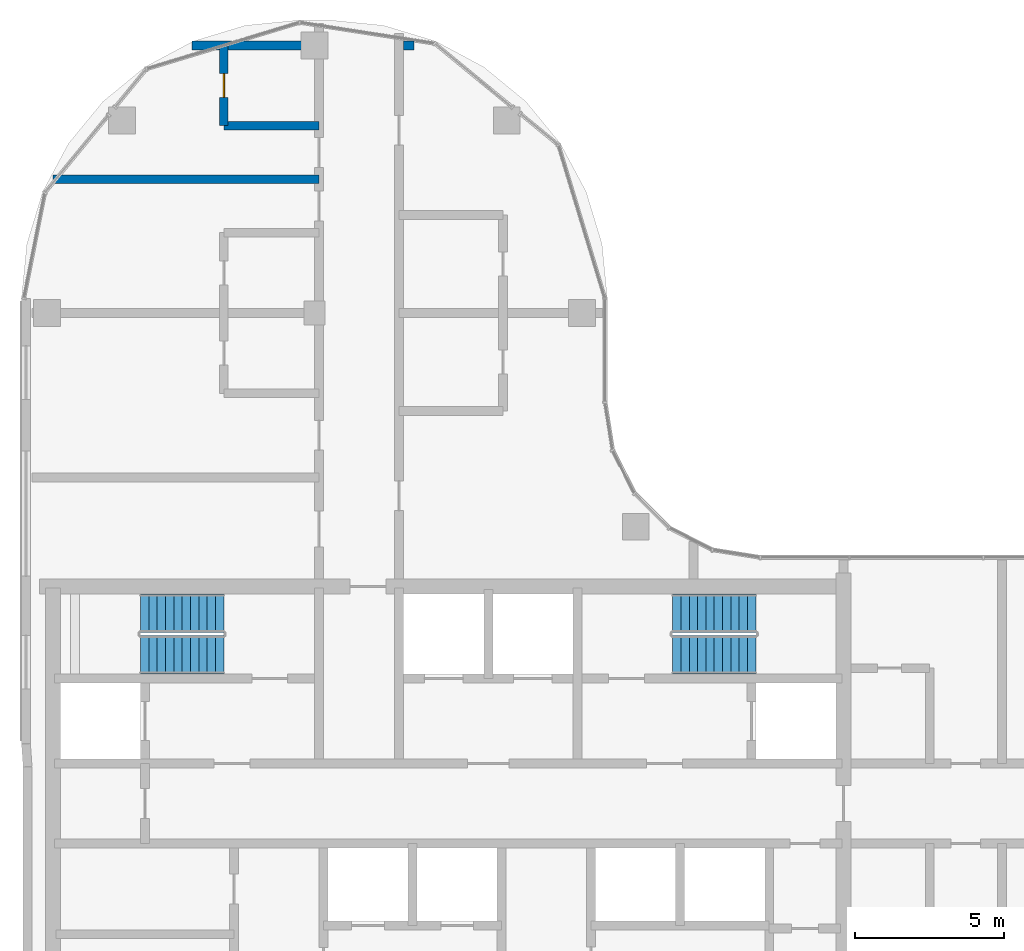
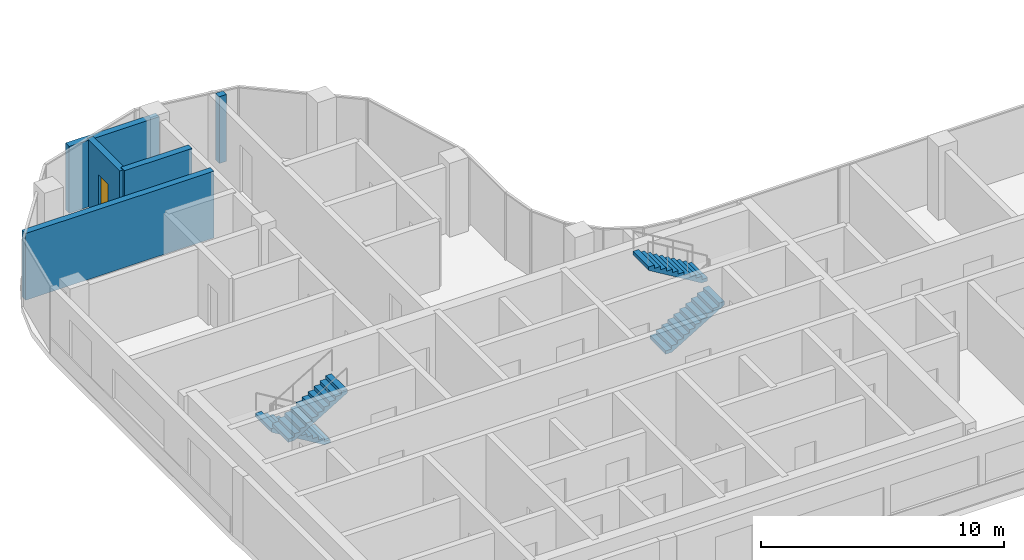
# One storey, part 16 of 20: 5 walls, 4 stair flights, 1 door, 1 opening, 2 elements without a shape of their own.
"""IFC4 building model written with IfcOpenShell, lengths in metres."""

from ifc_helpers import new_model, si_unit, direction, frame, frame_2d, origin, place, context, subcontext, project, spatial, rectangle, extrude, triangles, source, transform, mapped, material, layer, layer_set, type_object, element, fill, aggregate, save


model = new_model("IFC4")

# Units and contexts
model_context = context("Model", 3, precision=1e-05, world=origin(), true_north=direction((0.0, 1.0)))
body_context = subcontext(model_context, "Body", "Model", "MODEL_VIEW")
ifc_project = project(units=[si_unit("LENGTHUNIT", "METRE"), si_unit("AREAUNIT", "SQUARE_METRE"), si_unit("VOLUMEUNIT", "CUBIC_METRE"), si_unit("PLANEANGLEUNIT", "RADIAN"), si_unit("MASSUNIT", "GRAM", prefix="KILO")], contexts=[model_context])

# Site, building, storey
site_placement = place(None, origin())
site = spatial("IfcSite", under=ifc_project, at=site_placement, CompositionType="ELEMENT")
building_placement = place(site_placement, origin())
building = spatial("IfcBuilding", under=site, at=building_placement, Name="Ogive Portal Towers", CompositionType="ELEMENT")
storey_placement = place(building_placement, frame((0.0, 0.0, 210.60009765625)))
storey = spatial("IfcBuildingStorey", under=building, at=storey_placement, Name="L52", CompositionType="ELEMENT", Elevation=210.60009765625)

# Walls
ifc_material_1 = material(Name="Gypsum board partition on steel studs", Category="steel")
ifc_layer = layer(ifc_material_1, 0.300048828125)
ifc_layer_set = layer_set([ifc_layer], Name="WT-PART-300-EI 60")
wall_type = type_object("IfcWallType", Name="WT-PART-300-EI 60", PredefinedType="PARTITIONING", material=ifc_layer_set)
wall_1_placement = place(storey_placement, frame((31.705078125, 53.0, 0.0), z_axis=(0.0, 0.0, 1.0), x_axis=(1.0, 0.0, 0.0)))
element("IfcWall", 1, at=wall_1_placement, inside=storey, type_object=wall_type, Name="Wall L52:w019", PredefinedType="PARTITIONING", context=body_context, shape_type="SweptSolid", body=[
    extrude(rectangle(XDim=8.94482421875, YDim=0.300048828125, at=frame_2d((4.472412109375, 0.0))), origin(), (0.0, 0.0, 1.0), 3.349853515625),
])
wall_2_placement = place(storey_placement, frame((37.449951171875, 54.800048828125, 0.0), z_axis=(0.0, 0.0, 1.0), x_axis=(1.0, 0.0, 0.0)))
element("IfcWall", 2, at=wall_2_placement, inside=storey, type_object=wall_type, Name="Wall L52:w020", PredefinedType="PARTITIONING", context=body_context, shape_type="SweptSolid", body=[
    extrude(rectangle(XDim=3.199951171875, YDim=0.300048828125, at=frame_2d((1.60009765625, 0.0))), origin(), (0.0, 0.0, 1.0), 3.39990234375),
])
wall_3_placement = place(storey_placement, frame((36.375, 57.5, 0.0), z_axis=(0.0, 0.0, 1.0), x_axis=(1.0, 0.0, 0.0)))
element("IfcWall", 3, at=wall_3_placement, inside=storey, type_object=wall_type, Name="Wall L52:w021", PredefinedType="PARTITIONING", context=body_context, shape_type="SweptSolid", body=[
    extrude(rectangle(XDim=4.27490234375, YDim=0.300048828125, at=frame_2d((2.137451171875, 0.0))), origin(), (0.0, 0.0, 1.0), 3.349853515625),
])
wall_4_placement = place(storey_placement, frame((43.498046875, 57.5, 0.0), z_axis=(0.0, 0.0, 1.0), x_axis=(1.0, 0.0, 0.0)))
element("IfcWall", 4, at=wall_4_placement, inside=storey, type_object=wall_type, Name="Wall L52:w022", PredefinedType="PARTITIONING", context=body_context, shape_type="SweptSolid", body=[
    extrude(rectangle(XDim=0.346923828125, YDim=0.300048828125, at=frame_2d((0.17333984375, 0.0))), origin(), (0.0, 0.0, 1.0), 3.349853515625),
])

# Wall, opening, door
wall_5_placement = place(storey_placement, frame((37.449951171875, 54.800048828125, 0.0), z_axis=(0.0, 0.0, 1.0), x_axis=(0.0, 1.0, 0.0)))
wall_5 = element("IfcWall", 5, at=wall_5_placement, inside=storey, type_object=wall_type, Name="Wall L52:w024", PredefinedType="PARTITIONING", context=body_context, shape_type="SweptSolid", body=[
    extrude(rectangle(XDim=2.699951171875, YDim=0.300048828125, at=frame_2d((1.35009765625, 0.0))), origin(), (0.0, 0.0, 1.0), 3.349853515625),
])
opening_placement = place(wall_5_placement, frame((0.949951171875, 0.0, 0.0)))
opening = element("IfcOpeningElement", 6, at=opening_placement, cuts=wall_5, Name="Opening D23-054", PredefinedType="OPENING", context=body_context, shape_type="SweptSolid", body=[
    extrude(rectangle(XDim=0.800048828125, YDim=2.10009765625, at=frame_2d((0.39990234375, 1.050048828125))), frame((0.0, 0.16015625, 0.0), z_axis=(0.0, -1.0, 0.0), x_axis=(1.0, 0.0, 0.0)), (0.0, 0.0, 1.0), 0.320068359375),
])
ifc_material_2 = material(Name="Steel fire door", Category="steel")
door_type = type_object("IfcDoorType", Name="DT-BATH-800x2100-FD60S", OperationType="SINGLE_SWING_LEFT", PredefinedType="DOOR", material=ifc_material_2)
door_placement = place(opening_placement, origin())
door = element("IfcDoor", 7, at=door_placement, inside=storey, type_object=door_type, Name="Door D23-054", OperationType="SINGLE_SWING_LEFT", OverallHeight=2.10009765625, OverallWidth=0.800048828125, PredefinedType="DOOR", context=body_context, shape_type="SweptSolid", body=[
    extrude(rectangle(XDim=0.800048828125, YDim=2.10009765625, at=frame_2d((0.39990234375, 1.050048828125))), frame((0.0, 0.02490234375, 0.0), z_axis=(0.0, -1.0, 0.0), x_axis=(1.0, 0.0, 0.0)), (0.0, 0.0, 1.0), 0.050048828125),
])
fill(opening, door)

# Stair, stair flights
ifc_material_3 = material(Name="Concrete C40/50", Category="concrete")
stair_type = type_object("IfcStairType", Name="INT-STAIR", PredefinedType="HALF_TURN_STAIR", material=ifc_material_3)
stair_1_placement = place(storey_placement, origin())
stair_1 = element("IfcStair", 8, at=stair_1_placement, inside=storey, type_object=stair_type, Name="L52 Exit Stair ST-A1", PredefinedType="HALF_TURN_STAIR")
stair_flight_type = type_object("IfcStairFlightType", Name="INT-FLIGHT", PredefinedType="STRAIGHT", material=ifc_material_3)
shared_shape = source(origin(), body_context, "Body", "Tessellation", [
    triangles([(0.0, -0.650146484375, 0.0), (0.0, -0.376220703125, 0.0), (0.0, -0.192626953125, 0.0), (0.0, -0.081298828125, 0.0), (0.0, -0.024169921875, 0.0), (0.0, -0.003173828125, 0.0), (0.0, 0.0, 0.0), (0.0, 0.0029296875, 0.0), (0.0, 0.02392578125, 0.0), (0.0, 0.0810546875, 0.0), (0.0, 0.1923828125, 0.0), (0.0, 0.3759765625, 0.0), (0.0, 0.64990234375, 0.0), (0.0, -0.650146484375, 0.168212890625), (0.0, -0.376220703125, 0.168212890625), (0.0, -0.192626953125, 0.168212890625), (0.0, -0.081298828125, 0.168212890625), (0.0, -0.024169921875, 0.168212890625), (0.0, -0.003173828125, 0.168212890625), (0.0, 0.0, 0.168212890625), (0.0, 0.0029296875, 0.168212890625), (0.0, 0.02392578125, 0.168212890625), (0.0, 0.0810546875, 0.168212890625), (0.0, 0.1923828125, 0.168212890625), (0.0, 0.3759765625, 0.168212890625), (0.0, 0.64990234375, 0.168212890625), (0.280029296875, -0.650146484375, 0.168212890625), (0.280029296875, -0.376220703125, 0.168212890625), (0.280029296875, -0.192626953125, 0.168212890625), (0.280029296875, -0.081298828125, 0.168212890625), (0.280029296875, -0.024169921875, 0.168212890625), (0.280029296875, -0.003173828125, 0.168212890625), (0.280029296875, 0.0, 0.168212890625), (0.280029296875, 0.0029296875, 0.168212890625), (0.280029296875, 0.02392578125, 0.168212890625), (0.280029296875, 0.0810546875, 0.168212890625), (0.280029296875, 0.1923828125, 0.168212890625), (0.280029296875, 0.3759765625, 0.168212890625), (0.280029296875, 0.64990234375, 0.168212890625), (0.280029296875, -0.650146484375, 0.33642578125), (0.280029296875, -0.376220703125, 0.33642578125), (0.280029296875, -0.192626953125, 0.33642578125), (0.280029296875, -0.081298828125, 0.33642578125), (0.280029296875, -0.024169921875, 0.33642578125), (0.280029296875, -0.003173828125, 0.33642578125), (0.280029296875, 0.0, 0.33642578125), (0.280029296875, 0.0029296875, 0.33642578125), (0.280029296875, 0.02392578125, 0.33642578125), (0.280029296875, 0.0810546875, 0.33642578125), (0.280029296875, 0.1923828125, 0.33642578125), (0.280029296875, 0.3759765625, 0.33642578125), (0.280029296875, 0.64990234375, 0.33642578125), (0.56005859375, -0.650146484375, 0.33642578125), (0.56005859375, -0.376220703125, 0.33642578125), (0.56005859375, -0.192626953125, 0.33642578125), (0.56005859375, -0.081298828125, 0.33642578125), (0.56005859375, -0.024169921875, 0.33642578125), (0.56005859375, -0.003173828125, 0.33642578125), (0.56005859375, 0.0, 0.33642578125), (0.56005859375, 0.0029296875, 0.33642578125), (0.56005859375, 0.02392578125, 0.33642578125), (0.56005859375, 0.0810546875, 0.33642578125), (0.56005859375, 0.1923828125, 0.33642578125), (0.56005859375, 0.3759765625, 0.33642578125), (0.56005859375, 0.64990234375, 0.33642578125), (0.56005859375, -0.650146484375, 0.504638671875), (0.56005859375, -0.376220703125, 0.504638671875), (0.56005859375, -0.192626953125, 0.504638671875), (0.56005859375, -0.081298828125, 0.504638671875), (0.56005859375, -0.024169921875, 0.504638671875), (0.56005859375, -0.003173828125, 0.504638671875), (0.56005859375, 0.0, 0.504638671875), (0.56005859375, 0.0029296875, 0.504638671875), (0.56005859375, 0.02392578125, 0.504638671875), (0.56005859375, 0.0810546875, 0.504638671875), (0.56005859375, 0.1923828125, 0.504638671875), (0.56005859375, 0.3759765625, 0.504638671875), (0.56005859375, 0.64990234375, 0.504638671875), (0.840087890625, -0.650146484375, 0.504638671875), (0.840087890625, -0.376220703125, 0.504638671875), (0.840087890625, -0.192626953125, 0.504638671875), (0.840087890625, -0.081298828125, 0.504638671875), (0.840087890625, -0.024169921875, 0.504638671875), (0.840087890625, -0.003173828125, 0.504638671875), (0.840087890625, 0.0, 0.504638671875), (0.840087890625, 0.0029296875, 0.504638671875), (0.840087890625, 0.02392578125, 0.504638671875), (0.840087890625, 0.0810546875, 0.504638671875), (0.840087890625, 0.1923828125, 0.504638671875), (0.840087890625, 0.3759765625, 0.504638671875), (0.840087890625, 0.64990234375, 0.504638671875), (0.840087890625, -0.650146484375, 0.672607421875), (0.840087890625, -0.376220703125, 0.672607421875), (0.840087890625, -0.192626953125, 0.672607421875), (0.840087890625, -0.081298828125, 0.672607421875), (0.840087890625, -0.024169921875, 0.672607421875), (0.840087890625, -0.003173828125, 0.672607421875), (0.840087890625, 0.0, 0.672607421875), (0.840087890625, 0.0029296875, 0.672607421875), (0.840087890625, 0.02392578125, 0.672607421875), (0.840087890625, 0.0810546875, 0.672607421875), (0.840087890625, 0.1923828125, 0.672607421875), (0.840087890625, 0.3759765625, 0.672607421875), (0.840087890625, 0.64990234375, 0.672607421875), (1.1201171875, -0.650146484375, 0.672607421875), (1.1201171875, -0.376220703125, 0.672607421875), (1.1201171875, -0.192626953125, 0.672607421875), (1.1201171875, -0.081298828125, 0.672607421875), (1.1201171875, -0.024169921875, 0.672607421875), (1.1201171875, -0.003173828125, 0.672607421875), (1.1201171875, 0.0, 0.672607421875), (1.1201171875, 0.0029296875, 0.672607421875), (1.1201171875, 0.02392578125, 0.672607421875), (1.1201171875, 0.0810546875, 0.672607421875), (1.1201171875, 0.1923828125, 0.672607421875), (1.1201171875, 0.3759765625, 0.672607421875), (1.1201171875, 0.64990234375, 0.672607421875), (1.1201171875, -0.650146484375, 0.8408203125), (1.1201171875, -0.376220703125, 0.8408203125), (1.1201171875, -0.192626953125, 0.8408203125), (1.1201171875, -0.081298828125, 0.8408203125), (1.1201171875, -0.024169921875, 0.8408203125), (1.1201171875, -0.003173828125, 0.8408203125), (1.1201171875, 0.0, 0.8408203125), (1.1201171875, 0.0029296875, 0.8408203125), (1.1201171875, 0.02392578125, 0.8408203125), (1.1201171875, 0.0810546875, 0.8408203125), (1.1201171875, 0.1923828125, 0.8408203125), (1.1201171875, 0.3759765625, 0.8408203125), (1.1201171875, 0.64990234375, 0.8408203125), (1.39990234375, -0.650146484375, 0.8408203125), (1.39990234375, -0.376220703125, 0.8408203125), (1.39990234375, -0.192626953125, 0.8408203125), (1.39990234375, -0.081298828125, 0.8408203125), (1.39990234375, -0.024169921875, 0.8408203125), (1.39990234375, -0.003173828125, 0.8408203125), (1.39990234375, 0.0, 0.8408203125), (1.39990234375, 0.0029296875, 0.8408203125), (1.39990234375, 0.02392578125, 0.8408203125), (1.39990234375, 0.0810546875, 0.8408203125), (1.39990234375, 0.1923828125, 0.8408203125), (1.39990234375, 0.3759765625, 0.8408203125), (1.39990234375, 0.64990234375, 0.8408203125), (1.39990234375, -0.650146484375, 1.009033203125), (1.39990234375, -0.376220703125, 1.009033203125), (1.39990234375, -0.192626953125, 1.009033203125), (1.39990234375, -0.081298828125, 1.009033203125), (1.39990234375, -0.024169921875, 1.009033203125), (1.39990234375, -0.003173828125, 1.009033203125), (1.39990234375, 0.0, 1.009033203125), (1.39990234375, 0.0029296875, 1.009033203125), (1.39990234375, 0.02392578125, 1.009033203125), (1.39990234375, 0.0810546875, 1.009033203125), (1.39990234375, 0.1923828125, 1.009033203125), (1.39990234375, 0.3759765625, 1.009033203125), (1.39990234375, 0.64990234375, 1.009033203125), (1.679931640625, -0.650146484375, 1.009033203125), (1.679931640625, -0.376220703125, 1.009033203125), (1.679931640625, -0.192626953125, 1.009033203125), (1.679931640625, -0.081298828125, 1.009033203125), (1.679931640625, -0.024169921875, 1.009033203125), (1.679931640625, -0.003173828125, 1.009033203125), (1.679931640625, 0.0, 1.009033203125), (1.679931640625, 0.0029296875, 1.009033203125), (1.679931640625, 0.02392578125, 1.009033203125), (1.679931640625, 0.0810546875, 1.009033203125), (1.679931640625, 0.1923828125, 1.009033203125), (1.679931640625, 0.3759765625, 1.009033203125), (1.679931640625, 0.64990234375, 1.009033203125), (1.679931640625, -0.650146484375, 1.17724609375), (1.679931640625, -0.376220703125, 1.17724609375), (1.679931640625, -0.192626953125, 1.17724609375), (1.679931640625, -0.081298828125, 1.17724609375), (1.679931640625, -0.024169921875, 1.17724609375), (1.679931640625, -0.003173828125, 1.17724609375), (1.679931640625, 0.0, 1.17724609375), (1.679931640625, 0.0029296875, 1.17724609375), (1.679931640625, 0.02392578125, 1.17724609375), (1.679931640625, 0.0810546875, 1.17724609375), (1.679931640625, 0.1923828125, 1.17724609375), (1.679931640625, 0.3759765625, 1.17724609375), (1.679931640625, 0.64990234375, 1.17724609375), (1.9599609375, -0.650146484375, 1.17724609375), (1.9599609375, -0.376220703125, 1.17724609375), (1.9599609375, -0.192626953125, 1.17724609375), (1.9599609375, -0.081298828125, 1.17724609375), (1.9599609375, -0.024169921875, 1.17724609375), (1.9599609375, -0.003173828125, 1.17724609375), (1.9599609375, 0.0, 1.17724609375), (1.9599609375, 0.0029296875, 1.17724609375), (1.9599609375, 0.02392578125, 1.17724609375), (1.9599609375, 0.0810546875, 1.17724609375), (1.9599609375, 0.1923828125, 1.17724609375), (1.9599609375, 0.3759765625, 1.17724609375), (1.9599609375, 0.64990234375, 1.17724609375), (1.9599609375, -0.650146484375, 1.345458984375), (1.9599609375, -0.376220703125, 1.345458984375), (1.9599609375, -0.192626953125, 1.345458984375), (1.9599609375, -0.081298828125, 1.345458984375), (1.9599609375, -0.024169921875, 1.345458984375), (1.9599609375, -0.003173828125, 1.345458984375), (1.9599609375, 0.0, 1.345458984375), (1.9599609375, 0.0029296875, 1.345458984375), (1.9599609375, 0.02392578125, 1.345458984375), (1.9599609375, 0.0810546875, 1.345458984375), (1.9599609375, 0.1923828125, 1.345458984375), (1.9599609375, 0.3759765625, 1.345458984375), (1.9599609375, 0.64990234375, 1.345458984375), (2.239990234375, -0.650146484375, 1.345458984375), (2.239990234375, -0.376220703125, 1.345458984375), (2.239990234375, -0.192626953125, 1.345458984375), (2.239990234375, -0.081298828125, 1.345458984375), (2.239990234375, -0.024169921875, 1.345458984375), (2.239990234375, -0.003173828125, 1.345458984375), (2.239990234375, 0.0, 1.345458984375), (2.239990234375, 0.0029296875, 1.345458984375), (2.239990234375, 0.02392578125, 1.345458984375), (2.239990234375, 0.0810546875, 1.345458984375), (2.239990234375, 0.1923828125, 1.345458984375), (2.239990234375, 0.3759765625, 1.345458984375), (2.239990234375, 0.64990234375, 1.345458984375), (2.239990234375, -0.650146484375, 1.513671875), (2.239990234375, -0.376220703125, 1.513671875), (2.239990234375, -0.192626953125, 1.513671875), (2.239990234375, -0.081298828125, 1.513671875), (2.239990234375, -0.024169921875, 1.513671875), (2.239990234375, -0.003173828125, 1.513671875), (2.239990234375, 0.0, 1.513671875), (2.239990234375, 0.0029296875, 1.513671875), (2.239990234375, 0.02392578125, 1.513671875), (2.239990234375, 0.0810546875, 1.513671875), (2.239990234375, 0.1923828125, 1.513671875), (2.239990234375, 0.3759765625, 1.513671875), (2.239990234375, 0.64990234375, 1.513671875), (2.52001953125, -0.650146484375, 1.513671875), (2.52001953125, -0.376220703125, 1.513671875), (2.52001953125, -0.192626953125, 1.513671875), (2.52001953125, -0.081298828125, 1.513671875), (2.52001953125, -0.024169921875, 1.513671875), (2.52001953125, -0.003173828125, 1.513671875), (2.52001953125, 0.0, 1.513671875), (2.52001953125, 0.0029296875, 1.513671875), (2.52001953125, 0.02392578125, 1.513671875), (2.52001953125, 0.0810546875, 1.513671875), (2.52001953125, 0.1923828125, 1.513671875), (2.52001953125, 0.3759765625, 1.513671875), (2.52001953125, 0.64990234375, 1.513671875), (2.52001953125, -0.650146484375, 1.681884765625), (2.52001953125, -0.376220703125, 1.681884765625), (2.52001953125, -0.192626953125, 1.681884765625), (2.52001953125, -0.081298828125, 1.681884765625), (2.52001953125, -0.024169921875, 1.681884765625), (2.52001953125, -0.003173828125, 1.681884765625), (2.52001953125, 0.0, 1.681884765625), (2.52001953125, 0.0029296875, 1.681884765625), (2.52001953125, 0.02392578125, 1.681884765625), (2.52001953125, 0.0810546875, 1.681884765625), (2.52001953125, 0.1923828125, 1.681884765625), (2.52001953125, 0.3759765625, 1.681884765625), (2.52001953125, 0.64990234375, 1.681884765625), (2.800048828125, -0.650146484375, 1.681884765625), (2.800048828125, -0.376220703125, 1.681884765625), (2.800048828125, -0.192626953125, 1.681884765625), (2.800048828125, -0.081298828125, 1.681884765625), (2.800048828125, -0.024169921875, 1.681884765625), (2.800048828125, -0.003173828125, 1.681884765625), (2.800048828125, 0.0, 1.681884765625), (2.800048828125, 0.0029296875, 1.681884765625), (2.800048828125, 0.02392578125, 1.681884765625), (2.800048828125, 0.0810546875, 1.681884765625), (2.800048828125, 0.1923828125, 1.681884765625), (2.800048828125, 0.3759765625, 1.681884765625), (2.800048828125, 0.64990234375, 1.681884765625), (2.800048828125, -0.650146484375, 1.5068359375), (2.800048828125, -0.376220703125, 1.5068359375), (2.800048828125, -0.192626953125, 1.5068359375), (2.800048828125, -0.081298828125, 1.5068359375), (2.800048828125, -0.024169921875, 1.5068359375), (2.800048828125, -0.003173828125, 1.5068359375), (2.800048828125, 0.0, 1.5068359375), (2.800048828125, 0.0029296875, 1.5068359375), (2.800048828125, 0.02392578125, 1.5068359375), (2.800048828125, 0.0810546875, 1.5068359375), (2.800048828125, 0.1923828125, 1.5068359375), (2.800048828125, 0.3759765625, 1.5068359375), (2.800048828125, 0.64990234375, 1.5068359375), (0.291015625, -0.650146484375, 0.0), (0.291015625, -0.376220703125, 0.0), (0.291015625, -0.192626953125, 0.0), (0.291015625, -0.081298828125, 0.0), (0.291015625, -0.024169921875, 0.0), (0.291015625, -0.003173828125, 0.0), (0.291015625, 0.0, 0.0), (0.291015625, 0.0029296875, 0.0), (0.291015625, 0.02392578125, 0.0), (0.291015625, 0.0810546875, 0.0), (0.291015625, 0.1923828125, 0.0), (0.291015625, 0.3759765625, 0.0), (0.291015625, 0.64990234375, 0.0)], [[1, 14, 15], [1, 15, 2], [2, 15, 16], [2, 16, 3], [3, 16, 17], [3, 17, 4], [4, 17, 18], [4, 18, 5], [5, 18, 19], [5, 19, 6], [6, 19, 20], [6, 20, 7], [7, 20, 21], [7, 21, 8], [8, 21, 22], [8, 22, 9], [9, 22, 23], [9, 23, 10], [10, 23, 24], [10, 24, 11], [11, 24, 25], [11, 25, 12], [12, 25, 26], [12, 26, 13], [14, 27, 28], [14, 28, 15], [15, 28, 29], [15, 29, 16], [16, 29, 30], [16, 30, 17], [17, 30, 31], [17, 31, 18], [18, 31, 32], [18, 32, 19], [19, 32, 33], [19, 33, 20], [20, 33, 34], [20, 34, 21], [21, 34, 35], [21, 35, 22], [22, 35, 36], [22, 36, 23], [23, 36, 37], [23, 37, 24], [24, 37, 38], [24, 38, 25], [25, 38, 39], [25, 39, 26], [27, 40, 41], [27, 41, 28], [28, 41, 42], [28, 42, 29], [29, 42, 43], [29, 43, 30], [30, 43, 44], [30, 44, 31], [31, 44, 45], [31, 45, 32], [32, 45, 46], [32, 46, 33], [33, 46, 47], [33, 47, 34], [34, 47, 48], [34, 48, 35], [35, 48, 49], [35, 49, 36], [36, 49, 50], [36, 50, 37], [37, 50, 51], [37, 51, 38], [38, 51, 52], [38, 52, 39], [40, 53, 54], [40, 54, 41], [41, 54, 55], [41, 55, 42], [42, 55, 56], [42, 56, 43], [43, 56, 57], [43, 57, 44], [44, 57, 58], [44, 58, 45], [45, 58, 59], [45, 59, 46], [46, 59, 60], [46, 60, 47], [47, 60, 61], [47, 61, 48], [48, 61, 62], [48, 62, 49], [49, 62, 63], [49, 63, 50], [50, 63, 64], [50, 64, 51], [51, 64, 65], [51, 65, 52], [53, 66, 67], [53, 67, 54], [54, 67, 68], [54, 68, 55], [55, 68, 69], [55, 69, 56], [56, 69, 70], [56, 70, 57], [57, 70, 71], [57, 71, 58], [58, 71, 72], [58, 72, 59], [59, 72, 73], [59, 73, 60], [60, 73, 74], [60, 74, 61], [61, 74, 75], [61, 75, 62], [62, 75, 76], [62, 76, 63], [63, 76, 77], [63, 77, 64], [64, 77, 78], [64, 78, 65], [66, 79, 80], [66, 80, 67], [67, 80, 81], [67, 81, 68], [68, 81, 82], [68, 82, 69], [69, 82, 83], [69, 83, 70], [70, 83, 84], [70, 84, 71], [71, 84, 85], [71, 85, 72], [72, 85, 86], [72, 86, 73], [73, 86, 87], [73, 87, 74], [74, 87, 88], [74, 88, 75], [75, 88, 89], [75, 89, 76], [76, 89, 90], [76, 90, 77], [77, 90, 91], [77, 91, 78], [79, 92, 93], [79, 93, 80], [80, 93, 94], [80, 94, 81], [81, 94, 95], [81, 95, 82], [82, 95, 96], [82, 96, 83], [83, 96, 97], [83, 97, 84], [84, 97, 98], [84, 98, 85], [85, 98, 99], [85, 99, 86], [86, 99, 100], [86, 100, 87], [87, 100, 101], [87, 101, 88], [88, 101, 102], [88, 102, 89], [89, 102, 103], [89, 103, 90], [90, 103, 104], [90, 104, 91], [92, 105, 106], [92, 106, 93], [93, 106, 107], [93, 107, 94], [94, 107, 108], [94, 108, 95], [95, 108, 109], [95, 109, 96], [96, 109, 110], [96, 110, 97], [97, 110, 111], [97, 111, 98], [98, 111, 112], [98, 112, 99], [99, 112, 113], [99, 113, 100], [100, 113, 114], [100, 114, 101], [101, 114, 115], [101, 115, 102], [102, 115, 116], [102, 116, 103], [103, 116, 117], [103, 117, 104], [105, 118, 119], [105, 119, 106], [106, 119, 120], [106, 120, 107], [107, 120, 121], [107, 121, 108], [108, 121, 122], [108, 122, 109], [109, 122, 123], [109, 123, 110], [110, 123, 124], [110, 124, 111], [111, 124, 125], [111, 125, 112], [112, 125, 126], [112, 126, 113], [113, 126, 127], [113, 127, 114], [114, 127, 128], [114, 128, 115], [115, 128, 129], [115, 129, 116], [116, 129, 130], [116, 130, 117], [118, 131, 132], [118, 132, 119], [119, 132, 133], [119, 133, 120], [120, 133, 134], [120, 134, 121], [121, 134, 135], [121, 135, 122], [122, 135, 136], [122, 136, 123], [123, 136, 137], [123, 137, 124], [124, 137, 138], [124, 138, 125], [125, 138, 139], [125, 139, 126], [126, 139, 140], [126, 140, 127], [127, 140, 141], [127, 141, 128], [128, 141, 142], [128, 142, 129], [129, 142, 143], [129, 143, 130], [131, 144, 145], [131, 145, 132], [132, 145, 146], [132, 146, 133], [133, 146, 147], [133, 147, 134], [134, 147, 148], [134, 148, 135], [135, 148, 149], [135, 149, 136], [136, 149, 150], [136, 150, 137], [137, 150, 151], [137, 151, 138], [138, 151, 152], [138, 152, 139], [139, 152, 153], [139, 153, 140], [140, 153, 154], [140, 154, 141], [141, 154, 155], [141, 155, 142], [142, 155, 156], [142, 156, 143], [144, 157, 158], [144, 158, 145], [145, 158, 159], [145, 159, 146], [146, 159, 160], [146, 160, 147], [147, 160, 161], [147, 161, 148], [148, 161, 162], [148, 162, 149], [149, 162, 163], [149, 163, 150], [150, 163, 164], [150, 164, 151], [151, 164, 165], [151, 165, 152], [152, 165, 166], [152, 166, 153], [153, 166, 167], [153, 167, 154], [154, 167, 168], [154, 168, 155], [155, 168, 169], [155, 169, 156], [157, 170, 171], [157, 171, 158], [158, 171, 172], [158, 172, 159], [159, 172, 173], [159, 173, 160], [160, 173, 174], [160, 174, 161], [161, 174, 175], [161, 175, 162], [162, 175, 176], [162, 176, 163], [163, 176, 177], [163, 177, 164], [164, 177, 178], [164, 178, 165], [165, 178, 179], [165, 179, 166], [166, 179, 180], [166, 180, 167], [167, 180, 181], [167, 181, 168], [168, 181, 182], [168, 182, 169], [170, 183, 184], [170, 184, 171], [171, 184, 185], [171, 185, 172], [172, 185, 186], [172, 186, 173], [173, 186, 187], [173, 187, 174], [174, 187, 188], [174, 188, 175], [175, 188, 189], [175, 189, 176], [176, 189, 190], [176, 190, 177], [177, 190, 191], [177, 191, 178], [178, 191, 192], [178, 192, 179], [179, 192, 193], [179, 193, 180], [180, 193, 194], [180, 194, 181], [181, 194, 195], [181, 195, 182], [183, 196, 197], [183, 197, 184], [184, 197, 198], [184, 198, 185], [185, 198, 199], [185, 199, 186], [186, 199, 200], [186, 200, 187], [187, 200, 201], [187, 201, 188], [188, 201, 202], [188, 202, 189], [189, 202, 203], [189, 203, 190], [190, 203, 204], [190, 204, 191], [191, 204, 205], [191, 205, 192], [192, 205, 206], [192, 206, 193], [193, 206, 207], [193, 207, 194], [194, 207, 208], [194, 208, 195], [196, 209, 210], [196, 210, 197], [197, 210, 211], [197, 211, 198], [198, 211, 212], [198, 212, 199], [199, 212, 213], [199, 213, 200], [200, 213, 214], [200, 214, 201], [201, 214, 215], [201, 215, 202], [202, 215, 216], [202, 216, 203], [203, 216, 217], [203, 217, 204], [204, 217, 218], [204, 218, 205], [205, 218, 219], [205, 219, 206], [206, 219, 220], [206, 220, 207], [207, 220, 221], [207, 221, 208], [209, 222, 223], [209, 223, 210], [210, 223, 224], [210, 224, 211], [211, 224, 225], [211, 225, 212], [212, 225, 226], [212, 226, 213], [213, 226, 227], [213, 227, 214], [214, 227, 228], [214, 228, 215], [215, 228, 229], [215, 229, 216], [216, 229, 230], [216, 230, 217], [217, 230, 231], [217, 231, 218], [218, 231, 232], [218, 232, 219], [219, 232, 233], [219, 233, 220], [220, 233, 234], [220, 234, 221], [222, 235, 236], [222, 236, 223], [223, 236, 237], [223, 237, 224], [224, 237, 238], [224, 238, 225], [225, 238, 239], [225, 239, 226], [226, 239, 240], [226, 240, 227], [227, 240, 241], [227, 241, 228], [228, 241, 242], [228, 242, 229], [229, 242, 243], [229, 243, 230], [230, 243, 244], [230, 244, 231], [231, 244, 245], [231, 245, 232], [232, 245, 246], [232, 246, 233], [233, 246, 247], [233, 247, 234], [235, 248, 249], [235, 249, 236], [236, 249, 250], [236, 250, 237], [237, 250, 251], [237, 251, 238], [238, 251, 252], [238, 252, 239], [239, 252, 253], [239, 253, 240], [240, 253, 254], [240, 254, 241], [241, 254, 255], [241, 255, 242], [242, 255, 256], [242, 256, 243], [243, 256, 257], [243, 257, 244], [244, 257, 258], [244, 258, 245], [245, 258, 259], [245, 259, 246], [246, 259, 260], [246, 260, 247], [248, 261, 262], [248, 262, 249], [249, 262, 263], [249, 263, 250], [250, 263, 264], [250, 264, 251], [251, 264, 265], [251, 265, 252], [252, 265, 266], [252, 266, 253], [253, 266, 267], [253, 267, 254], [254, 267, 268], [254, 268, 255], [255, 268, 269], [255, 269, 256], [256, 269, 270], [256, 270, 257], [257, 270, 271], [257, 271, 258], [258, 271, 272], [258, 272, 259], [259, 272, 273], [259, 273, 260], [261, 274, 275], [261, 275, 262], [262, 275, 276], [262, 276, 263], [263, 276, 277], [263, 277, 264], [264, 277, 278], [264, 278, 265], [265, 278, 279], [265, 279, 266], [266, 279, 280], [266, 280, 267], [267, 280, 281], [267, 281, 268], [268, 281, 282], [268, 282, 269], [269, 282, 283], [269, 283, 270], [270, 283, 284], [270, 284, 271], [271, 284, 285], [271, 285, 272], [272, 285, 286], [272, 286, 273], [274, 287, 288], [274, 288, 275], [275, 288, 289], [275, 289, 276], [276, 289, 290], [276, 290, 277], [277, 290, 291], [277, 291, 278], [278, 291, 292], [278, 292, 279], [279, 292, 293], [279, 293, 280], [280, 293, 294], [280, 294, 281], [281, 294, 295], [281, 295, 282], [282, 295, 296], [282, 296, 283], [283, 296, 297], [283, 297, 284], [284, 297, 298], [284, 298, 285], [285, 298, 299], [285, 299, 286], [287, 1, 2], [287, 2, 288], [288, 2, 3], [288, 3, 289], [289, 3, 4], [289, 4, 290], [290, 4, 5], [290, 5, 291], [291, 5, 6], [291, 6, 292], [292, 6, 7], [292, 7, 293], [293, 7, 8], [293, 8, 294], [294, 8, 9], [294, 9, 295], [295, 9, 10], [295, 10, 296], [296, 10, 11], [296, 11, 297], [297, 11, 12], [297, 12, 298], [298, 12, 13], [298, 13, 299], [1, 287, 274], [13, 286, 299], [274, 261, 248], [286, 260, 273], [274, 248, 235], [286, 247, 260], [274, 235, 222], [286, 234, 247], [274, 222, 209], [286, 221, 234], [209, 196, 183], [221, 195, 208], [274, 209, 183], [286, 195, 221], [183, 170, 157], [195, 169, 182], [274, 183, 157], [286, 169, 195], [157, 144, 131], [169, 143, 156], [274, 157, 131], [286, 143, 169], [131, 118, 105], [143, 117, 130], [274, 131, 105], [286, 117, 143], [1, 274, 105], [13, 117, 286], [105, 92, 79], [117, 91, 104], [79, 66, 53], [91, 65, 78], [105, 79, 53], [117, 65, 91], [53, 40, 27], [65, 39, 52], [105, 53, 27], [117, 39, 65], [1, 105, 27], [13, 39, 117], [27, 14, 1], [39, 13, 26]], closed=True),
])
stair_flight_1_placement = place(storey_placement, frame((37.449951171875, 38.39990234375, 0.0), z_axis=(0.0, 0.0, 1.0), x_axis=(-1.0, 0.0, 0.0)))
stair_flight_1 = element("IfcStairFlight", 9, at=stair_flight_1_placement, type_object=stair_flight_type, Name="ST-A1 flight 1", NumberOfRisers=11, NumberOfTreads=10, PredefinedType="STRAIGHT", RiserHeight=0.168181818, TreadLength=0.28, context=body_context, shape_type="MappedRepresentation", body=[
    mapped(shared_shape, transform((0.0, 0.0, 0.0), scale=1.0)),
])
stair_flight_2_placement = place(storey_placement, frame((34.64990234375, 37.0, 1.849853515625), z_axis=(0.0, 0.0, 1.0), x_axis=(1.0, 0.0, 0.0)))
stair_flight_2 = element("IfcStairFlight", 10, at=stair_flight_2_placement, type_object=stair_flight_type, Name="ST-A1 flight 2", NumberOfRisers=11, NumberOfTreads=10, PredefinedType="STRAIGHT", RiserHeight=0.168181818, TreadLength=0.28, context=body_context, shape_type="MappedRepresentation", body=[
    mapped(shared_shape, transform((0.0, 0.0, 0.0), scale=1.0)),
])
aggregate(stair_1, [stair_flight_1, stair_flight_2])

stair_2_placement = place(storey_placement, origin())
stair_2 = element("IfcStair", 11, at=stair_2_placement, inside=storey, type_object=stair_type, Name="L52 Exit Stair ST-A2", PredefinedType="HALF_TURN_STAIR")
stair_flight_3_placement = place(storey_placement, frame((52.550048828125, 37.0, 0.0), z_axis=(0.0, 0.0, 1.0), x_axis=(1.0, 0.0, 0.0)))
stair_flight_3 = element("IfcStairFlight", 12, at=stair_flight_3_placement, type_object=stair_flight_type, Name="ST-A2 flight 1", NumberOfRisers=11, NumberOfTreads=10, PredefinedType="STRAIGHT", RiserHeight=0.168181818, TreadLength=0.28, context=body_context, shape_type="MappedRepresentation", body=[
    mapped(shared_shape, transform((0.0, 0.0, 0.0), scale=1.0)),
])
stair_flight_4_placement = place(storey_placement, frame((55.35009765625, 38.39990234375, 1.849853515625), z_axis=(0.0, 0.0, 1.0), x_axis=(-1.0, 0.0, 0.0)))
stair_flight_4 = element("IfcStairFlight", 13, at=stair_flight_4_placement, type_object=stair_flight_type, Name="ST-A2 flight 2", NumberOfRisers=11, NumberOfTreads=10, PredefinedType="STRAIGHT", RiserHeight=0.168181818, TreadLength=0.28, context=body_context, shape_type="MappedRepresentation", body=[
    mapped(shared_shape, transform((0.0, 0.0, 0.0), scale=1.0)),
])
aggregate(stair_2, [stair_flight_3, stair_flight_4])

save(model, "model.ifc")
